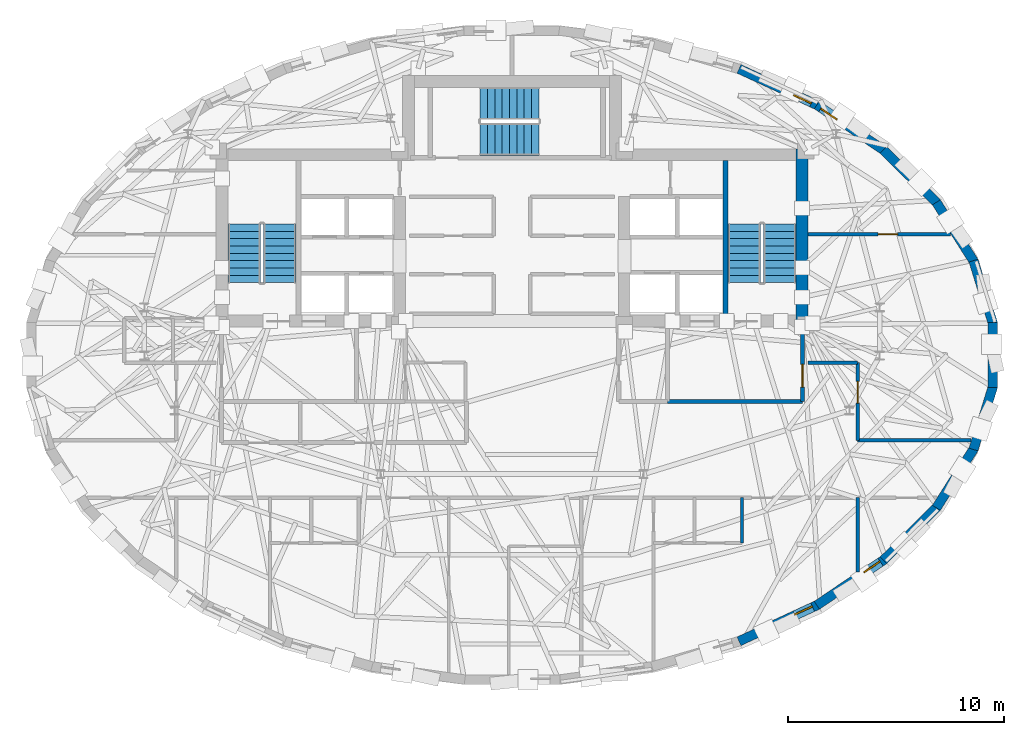
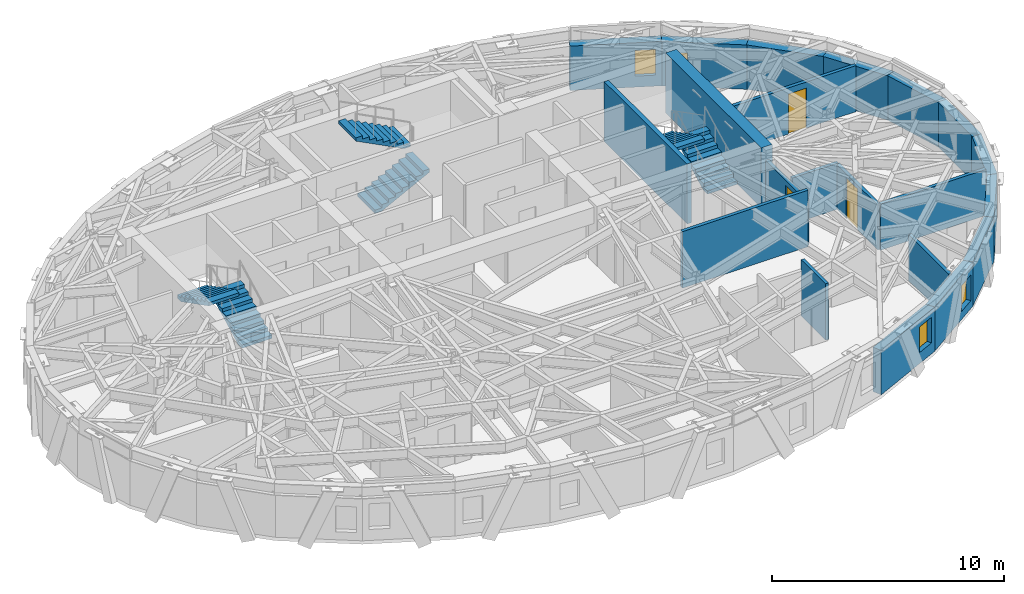
# One storey, part 9 of 12: 21 walls, 6 stair flights, 4 windows, 3 doors, 7 openings, 3 elements without a shape of their own.
"""IFC4 building model written with IfcOpenShell, lengths in metres."""

from ifc_helpers import new_model, si_unit, direction, frame, frame_2d, origin, place, context, subcontext, project, spatial, polyline, rectangle, outline, extrude, material, layer, layer_set, type_object, element, fill, aggregate, save


model = new_model("IFC4")

# Units and contexts
model_context = context("Model", 3, precision=1e-05, world=origin(), true_north=direction((0.0, 1.0)))
body_context = subcontext(model_context, "Body", "Model", "MODEL_VIEW")
ifc_project = project(units=[si_unit("LENGTHUNIT", "METRE"), si_unit("AREAUNIT", "SQUARE_METRE"), si_unit("VOLUMEUNIT", "CUBIC_METRE"), si_unit("PLANEANGLEUNIT", "RADIAN"), si_unit("MASSUNIT", "GRAM", prefix="KILO")], contexts=[model_context])

# Site, building, storey
site_placement = place(None, origin())
site = spatial("IfcSite", under=ifc_project, at=site_placement, CompositionType="ELEMENT")
building_placement = place(site_placement, origin())
building = spatial("IfcBuilding", under=site, at=building_placement, Name="Keldmark Tower", CompositionType="ELEMENT")
storey_placement = place(building_placement, frame((0.0, 0.0, 228.89990234375)))
storey = spatial("IfcBuildingStorey", under=building, at=storey_placement, Name="L64", CompositionType="ELEMENT", Elevation=228.89990234375)

# Walls
ifc_material_1 = material(Name="Concrete C50/60", Category="concrete")
ifc_layer_1 = layer(ifc_material_1, 0.550048828125)
ifc_layer_set_1 = layer_set([ifc_layer_1], Name="Concrete C50/60")
wall_type_1 = type_object("IfcWallType", Name="High-Rise Core Shear Wall 550 mm", PredefinedType="SHEAR", material=ifc_layer_set_1)
wall_1_placement = place(storey_placement, frame((13.425048828125, 1.300048828125, 0.0), z_axis=(0.0, 0.0, 1.0), x_axis=(0.0, 1.0, 0.0)))
element("IfcWall", 1, at=wall_1_placement, inside=storey, type_object=wall_type_1, Name="L64 East Core Outer Shear Wall", PredefinedType="SHEAR", context=body_context, shape_type="SweptSolid", body=[
    extrude(rectangle(XDim=8.25, YDim=0.550048828125, at=frame_2d((4.125, 0.0))), origin(), (0.0, 0.0, 1.0), 3.150146484375),
])
ifc_material_2 = material(Name="Type X Fire-Rated Gypsum Partition Assembly", Category="gypsum")
ifc_layer_2 = layer(ifc_material_2, 0.1650390625)
ifc_layer_set_2 = layer_set([ifc_layer_2], Name="Type X Fire-Rated Gypsum Partition Assembly")
wall_type_2 = type_object("IfcWallType", Name="Rated Partition 165 mm", PredefinedType="PARTITIONING", material=ifc_layer_set_2)
wall_2_placement = place(storey_placement, frame((7.199951171875, -2.14990234375, 0.0), z_axis=(0.0, 0.0, 1.0), x_axis=(1.0, 0.0, 0.0)))
element("IfcWall", 2, at=wall_2_placement, inside=storey, type_object=wall_type_2, Name="L64 Rated Partition 165 mm FSAE-E-S", PredefinedType="PARTITIONING", context=body_context, shape_type="SweptSolid", body=[
    extrude(rectangle(XDim=6.25, YDim=0.1650390625, at=frame_2d((3.125, 0.0))), origin(), (0.0, 0.0, 1.0), 2.97021484375),
])

# Wall, opening, door
wall_3_placement = place(storey_placement, frame((13.449951171875, -2.14990234375, 0.0), z_axis=(0.0, 0.0, 1.0), x_axis=(0.0, 1.0, 0.0)))
wall_3 = element("IfcWall", 3, at=wall_3_placement, inside=storey, type_object=wall_type_2, Name="L64 Rated Partition 165 mm FSAE-E-E", PredefinedType="PARTITIONING", context=body_context, shape_type="SweptSolid", body=[
    extrude(rectangle(XDim=3.5, YDim=0.1650390625, at=frame_2d((1.75, 0.0))), origin(), (0.0, 0.0, 1.0), 2.423095703125),
])
opening_1_placement = place(wall_3_placement, frame((0.669921875, 0.0, 0.0)))
opening_1 = element("IfcOpeningElement", 4, at=opening_1_placement, cuts=wall_3, Name="Opening D-FL105", PredefinedType="OPENING", context=body_context, shape_type="SweptSolid", body=[
    extrude(rectangle(XDim=1.050048828125, YDim=2.14990234375, at=frame_2d((0.52490234375, 1.074951171875))), frame((0.0, 0.092529296875, 0.0), z_axis=(0.0, -1.0, 0.0), x_axis=(1.0, 0.0, 0.0)), (0.0, 0.0, 1.0), 0.18505859375),
])
ifc_material_3 = material(Name="Fire-Rated Mineral-Core Door and Vision Lite", Category="metal")
door_type_1 = type_object("IfcDoorType", Name="Fire Lobby Door 1050x2150", OperationType="NOTDEFINED", PredefinedType="DOOR", material=ifc_material_3)
door_1_placement = place(opening_1_placement, origin())
door_1 = element("IfcDoor", 5, at=door_1_placement, inside=storey, type_object=door_type_1, Name="L64 Fire Lobby Door 1050x2150 D-FSAEE-OUT-L64", OperationType="SINGLE_SWING_RIGHT", OverallHeight=2.14990234375, OverallWidth=1.050048828125, PredefinedType="DOOR", context=body_context, shape_type="SweptSolid", body=[
    extrude(rectangle(XDim=1.050048828125, YDim=2.14990234375, at=frame_2d((0.52490234375, 1.074951171875))), frame((0.0, 0.02490234375, 0.0), z_axis=(0.0, -1.0, 0.0), x_axis=(1.0, 0.0, 0.0)), (0.0, 0.0, 1.0), 0.050048828125),
])
fill(opening_1, door_1)

# Wall
wall_4_placement = place(storey_placement, frame((16.0, -3.949951171875, 0.0), z_axis=(0.0, 0.0, 1.0), x_axis=(1.0, 0.0, 0.0)))
element("IfcWall", 6, at=wall_4_placement, inside=storey, type_object=wall_type_2, Name="L64 Rated Partition 165 mm RCOR-EN-OUT", PredefinedType="PARTITIONING", context=body_context, shape_type="SweptSolid", body=[
    extrude(rectangle(XDim=5.259521484375, YDim=0.1650390625, at=frame_2d((2.6298828125, 0.0))), origin(), (0.0, 0.0, 1.0), 2.423095703125),
])

# Wall, opening, door
wall_5_placement = place(storey_placement, frame((16.0, -3.949951171875, 0.0), z_axis=(0.0, 0.0, 1.0), x_axis=(0.0, 1.0, 0.0)))
wall_5 = element("IfcWall", 7, at=wall_5_placement, inside=storey, type_object=wall_type_2, Name="L64 Rated Partition 165 mm RCOR-VE", PredefinedType="PARTITIONING", context=body_context, shape_type="SweptSolid", body=[
    extrude(rectangle(XDim=3.599853515625, YDim=0.1650390625, at=frame_2d((1.7998046875, 0.0))), origin(), (0.0, 0.0, 1.0), 2.357177734375),
])
opening_2_placement = place(wall_5_placement, frame((1.72998046875, 0.0, 0.0)))
opening_2 = element("IfcOpeningElement", 8, at=opening_2_placement, cuts=wall_5, Name="Opening D-FD100", PredefinedType="OPENING", context=body_context, shape_type="SweptSolid", body=[
    extrude(rectangle(XDim=1.0, YDim=2.14990234375, at=frame_2d((0.5, 1.074951171875))), frame((0.0, 0.092529296875, 0.0), z_axis=(0.0, -1.0, 0.0), x_axis=(1.0, 0.0, 0.0)), (0.0, 0.0, 1.0), 0.18505859375),
])
ifc_material_4 = material(Name="Hollow Metal Fire-Rated Corridor Door", Category="metal")
door_type_2 = type_object("IfcDoorType", Name="Fire Door 1000x2150", OperationType="NOTDEFINED", PredefinedType="DOOR", material=ifc_material_4)
door_2_placement = place(opening_2_placement, origin())
door_2 = element("IfcDoor", 9, at=door_2_placement, inside=storey, type_object=door_type_2, Name="L64 Fire Door 1000x2150 D-REM1-L64", OperationType="SINGLE_SWING_RIGHT", OverallHeight=2.14990234375, OverallWidth=1.0, PredefinedType="DOOR", context=body_context, shape_type="SweptSolid", body=[
    extrude(rectangle(XDim=1.0, YDim=2.14990234375, at=frame_2d((0.5, 1.074951171875))), frame((0.0, 0.02490234375, 0.0), z_axis=(0.0, -1.0, 0.0), x_axis=(1.0, 0.0, 0.0)), (0.0, 0.0, 1.0), 0.050048828125),
])
fill(opening_2, door_2)

# Wall
wall_6_placement = place(storey_placement, frame((13.699951171875, -0.35009765625, 0.0), z_axis=(0.0, 0.0, 1.0), x_axis=(1.0, 0.0, 0.0)))
element("IfcWall", 10, at=wall_6_placement, inside=storey, type_object=wall_type_2, Name="L64 Rated Partition 165 mm RCOR-VEN", PredefinedType="PARTITIONING", context=body_context, shape_type="SweptSolid", body=[
    extrude(rectangle(XDim=2.300048828125, YDim=0.1650390625, at=frame_2d((1.14990234375, 0.0))), origin(), (0.0, 0.0, 1.0), 2.423095703125),
])

# Wall, opening, door
wall_7_placement = place(storey_placement, frame((13.699951171875, 5.60009765625, 0.0), z_axis=(0.0, 0.0, 1.0), x_axis=(1.0, 0.0, 0.0)))
wall_7 = element("IfcWall", 11, at=wall_7_placement, inside=storey, type_object=wall_type_2, Name="L64 Rated Partition 165 mm RE-NDIV", PredefinedType="PARTITIONING", context=body_context, shape_type="SweptSolid", body=[
    extrude(rectangle(XDim=6.6123046875, YDim=0.1650390625, at=frame_2d((3.30615234375, 0.0))), origin(), (0.0, 0.0, 1.0), 2.423095703125),
])
opening_3_placement = place(wall_7_placement, frame((3.25, 0.0, 0.0)))
opening_3 = element("IfcOpeningElement", 12, at=opening_3_placement, cuts=wall_7, Name="Opening D-IN090", PredefinedType="OPENING", context=body_context, shape_type="SweptSolid", body=[
    extrude(rectangle(XDim=0.89990234375, YDim=2.10009765625, at=frame_2d((0.449951171875, 1.050048828125))), frame((0.0, 0.092529296875, 0.0), z_axis=(0.0, -1.0, 0.0), x_axis=(1.0, 0.0, 0.0)), (0.0, 0.0, 1.0), 0.18505859375),
])
ifc_material_5 = material(Name="Stained American White Oak Veneer", Category="wood")
door_type_3 = type_object("IfcDoorType", Name="Interior Door 900x2100", OperationType="NOTDEFINED", PredefinedType="DOOR", material=ifc_material_5)
door_3_placement = place(opening_3_placement, origin())
door_3 = element("IfcDoor", 13, at=door_3_placement, inside=storey, type_object=door_type_3, Name="L64 Interior Door 900x2100 D-REN1-L64", OperationType="SINGLE_SWING_LEFT", OverallHeight=2.10009765625, OverallWidth=0.89990234375, PredefinedType="DOOR", context=body_context, shape_type="SweptSolid", body=[
    extrude(rectangle(XDim=0.89990234375, YDim=2.10009765625, at=frame_2d((0.449951171875, 1.050048828125))), frame((0.0, 0.02490234375, 0.0), z_axis=(0.0, -1.0, 0.0), x_axis=(1.0, 0.0, 0.0)), (0.0, 0.0, 1.0), 0.050048828125),
])
fill(opening_3, door_3)

# Walls
wall_8_placement = place(storey_placement, frame((16.0, -10.032470703125, 0.0), z_axis=(0.0, 0.0, 1.0), x_axis=(0.0, 1.0, 0.0)))
element("IfcWall", 14, at=wall_8_placement, inside=storey, type_object=wall_type_2, Name="L64 Rated Partition 165 mm RS-ECAP", PredefinedType="PARTITIONING", context=body_context, shape_type="SweptSolid", body=[
    extrude(rectangle(XDim=3.432373046875, YDim=0.1650390625, at=frame_2d((1.71630859375, 0.0))), origin(), (0.0, 0.0, 1.0), 2.423095703125),
])
ifc_material_6 = material(Name="Concrete C50/60", Category="concrete")
ifc_layer_3 = layer(ifc_material_6, 0.219970703125)
ifc_layer_set_3 = layer_set([ifc_layer_3], Name="Concrete C50/60")
wall_type_3 = type_object("IfcWallType", Name="Stair Core Shear Wall 220 mm", PredefinedType="SHEAR", material=ifc_layer_set_3)
wall_9_placement = place(storey_placement, frame((9.889892578125, 1.85009765625, 0.0), z_axis=(0.0, 0.0, 1.0), x_axis=(0.0, 1.0, 0.0)))
element("IfcWall", 15, at=wall_9_placement, inside=storey, type_object=wall_type_3, Name="L64 East Stair Core Shear Wall", PredefinedType="SHEAR", context=body_context, shape_type="SweptSolid", body=[
    extrude(rectangle(XDim=7.14990234375, YDim=0.219970703125, at=frame_2d((3.574951171875, 0.0))), origin(), (0.0, 0.0, 1.0), 3.150146484375),
])
ifc_material_7 = material(Name="Ironspot Manganese Brick and Kasota Buff Limestone Spandrel Assembly", Category="masonry")
ifc_layer_4 = layer(ifc_material_7, 0.43994140625)
ifc_layer_set_4 = layer_set([ifc_layer_4], Name="Ironspot Manganese Brick and Kasota Buff Limestone Spandrel Assembly")
wall_type_4 = type_object("IfcWallType", Name="Tower Brick Pier and Spandrel Wall 440 mm", PredefinedType="STANDARD", material=ifc_layer_set_4)
wall_10_placement = place(storey_placement, frame((21.3671875, 4.373779296875, 0.0), z_axis=(0.0, 0.0, 1.0), x_axis=(0.295012279945, -0.95549346135, 0.0)))
element("IfcWall", 16, at=wall_10_placement, inside=storey, type_object=wall_type_4, Name="L64 Exterior Brick and Spandrel Wall 01", PredefinedType="STANDARD", context=body_context, shape_type="SweptSolid", body=[
    extrude(rectangle(XDim=3.073486328125, YDim=0.43994140625, at=frame_2d((1.53662109375, 0.0))), origin(), (0.0, 0.0, 1.0), 2.336181640625),
])
wall_11_placement = place(storey_placement, frame((19.64990234375, 7.072509765625, 0.0), z_axis=(0.0, 0.0, 1.0), x_axis=(0.53485586517, -0.844943313775, 0.0)))
element("IfcWall", 17, at=wall_11_placement, inside=storey, type_object=wall_type_4, Name="L64 Exterior Brick and Spandrel Wall 02", PredefinedType="STANDARD", context=body_context, shape_type="SweptSolid", body=[
    extrude(rectangle(XDim=3.25634765625, YDim=0.43994140625, at=frame_2d((1.628173828125, 0.0))), origin(), (0.0, 0.0, 1.0), 2.336181640625),
])
wall_12_placement = place(storey_placement, frame((17.19677734375, 9.5009765625, 0.0), z_axis=(0.0, 0.0, 1.0), x_axis=(0.709543258305, -0.704661879623, 0.0)))
element("IfcWall", 18, at=wall_12_placement, inside=storey, type_object=wall_type_4, Name="L64 Exterior Brick and Spandrel Wall 03", PredefinedType="STANDARD", context=body_context, shape_type="SweptSolid", body=[
    extrude(rectangle(XDim=3.5009765625, YDim=0.43994140625, at=frame_2d((1.75048828125, 0.0))), origin(), (0.0, 0.0, 1.0), 2.336181640625),
])

# Wall, opening, window
wall_13_placement = place(storey_placement, frame((14.11669921875, 11.5849609375, 0.0), z_axis=(0.0, 0.0, 1.0), x_axis=(0.827638454008, -0.561261605178, 0.0)))
wall_13 = element("IfcWall", 19, at=wall_13_placement, inside=storey, type_object=wall_type_4, Name="L64 Exterior Brick and Spandrel Wall 04", PredefinedType="STANDARD", context=body_context, shape_type="SweptSolid", body=[
    extrude(rectangle(XDim=3.759521484375, YDim=0.43994140625, at=frame_2d((1.8798828125, 0.0))), origin(), (0.0, 0.0, 1.0), 2.336181640625),
])
opening_4_placement = place(wall_13_placement, frame((0.249267578125, 0.0, 0.419921875)))
opening_4 = element("IfcOpeningElement", 20, at=opening_4_placement, cuts=wall_13, Name="Opening W-09", PredefinedType="OPENING", context=body_context, shape_type="SweptSolid", body=[
    extrude(rectangle(XDim=0.89990234375, YDim=1.35009765625, at=frame_2d((0.449951171875, 0.675048828125))), frame((0.0, 0.22998046875, 0.0), z_axis=(0.0, -1.0, 0.0), x_axis=(1.0, 0.0, 0.0)), (0.0, 0.0, 1.0), 0.4599609375),
])
ifc_material_8 = material(Name="Thermally Broken Anodized Aluminum and Triple Low-E Argon Glazing", Category="aluminium")
window_type = type_object("IfcWindowType", Name="Corner Pier Deep-Set Window 900x1350", PartitioningType="SINGLE_PANEL", PredefinedType="WINDOW", material=ifc_material_8)
window_1_placement = place(opening_4_placement, origin())
window_1 = element("IfcWindow", 21, at=window_1_placement, inside=storey, type_object=window_type, Name="L64 Deep-Set Window 04", OverallHeight=1.35009765625, OverallWidth=0.89990234375, PartitioningType="SINGLE_PANEL", PredefinedType="WINDOW", context=body_context, shape_type="SweptSolid", body=[
    extrude(rectangle(XDim=0.89990234375, YDim=1.35009765625, at=frame_2d((0.449951171875, 0.675048828125))), frame((0.0, -0.010009765625, 0.0), z_axis=(0.0, -1.0, 0.0), x_axis=(1.0, 0.0, 0.0)), (0.0, 0.0, 1.0), 0.06005859375),
])
fill(opening_4, window_1)

wall_14_placement = place(storey_placement, frame((10.510009765625, 13.252197265625, 0.0), z_axis=(0.0, 0.0, 1.0), x_axis=(0.907400682183, -0.420266584412, 0.0)))
wall_14 = element("IfcWall", 22, at=wall_14_placement, inside=storey, type_object=wall_type_4, Name="L64 Exterior Brick and Spandrel Wall 05", PredefinedType="STANDARD", context=body_context, shape_type="SweptSolid", body=[
    extrude(rectangle(XDim=4.009033203125, YDim=0.43994140625, at=frame_2d((2.00439453125, 0.0))), origin(), (0.0, 0.0, 1.0), 2.336181640625),
])
opening_5_placement = place(wall_14_placement, frame((2.810302734375, 0.0, 0.580078125)))
opening_5 = element("IfcOpeningElement", 23, at=opening_5_placement, cuts=wall_14, Name="Opening W-09", PredefinedType="OPENING", context=body_context, shape_type="SweptSolid", body=[
    extrude(rectangle(XDim=0.89990234375, YDim=1.35009765625, at=frame_2d((0.449951171875, 0.675048828125))), frame((0.0, 0.22998046875, 0.0), z_axis=(0.0, -1.0, 0.0), x_axis=(1.0, 0.0, 0.0)), (0.0, 0.0, 1.0), 0.4599609375),
])
window_2_placement = place(opening_5_placement, origin())
window_2 = element("IfcWindow", 24, at=window_2_placement, inside=storey, type_object=window_type, Name="L64 Deep-Set Window 05", OverallHeight=1.35009765625, OverallWidth=0.89990234375, PartitioningType="SINGLE_PANEL", PredefinedType="WINDOW", context=body_context, shape_type="SweptSolid", body=[
    extrude(rectangle(XDim=0.89990234375, YDim=1.35009765625, at=frame_2d((0.449951171875, 0.675048828125))), frame((0.0, -0.010009765625, 0.0), z_axis=(0.0, -1.0, 0.0), x_axis=(1.0, 0.0, 0.0)), (0.0, 0.0, 1.0), 0.06005859375),
])
fill(opening_5, window_2)

wall_15_placement = place(storey_placement, frame((14.147705078125, -11.5673828125, 0.0), z_axis=(0.0, 0.0, 1.0), x_axis=(-0.907400682183, -0.420266584412, 0.0)))
wall_15 = element("IfcWall", 25, at=wall_15_placement, inside=storey, type_object=wall_type_4, Name="L64 Exterior Brick and Spandrel Wall 27", PredefinedType="STANDARD", context=body_context, shape_type="SweptSolid", body=[
    extrude(rectangle(XDim=4.009033203125, YDim=0.43994140625, at=frame_2d((2.00439453125, 0.0))), origin(), (0.0, 0.0, 1.0), 2.336181640625),
])
opening_6_placement = place(wall_15_placement, frame((0.249267578125, 0.0, 0.580078125)))
opening_6 = element("IfcOpeningElement", 26, at=opening_6_placement, cuts=wall_15, Name="Opening W-09", PredefinedType="OPENING", context=body_context, shape_type="SweptSolid", body=[
    extrude(rectangle(XDim=0.89990234375, YDim=1.35009765625, at=frame_2d((0.449951171875, 0.675048828125))), frame((0.0, 0.22998046875, 0.0), z_axis=(0.0, -1.0, 0.0), x_axis=(1.0, 0.0, 0.0)), (0.0, 0.0, 1.0), 0.4599609375),
])
window_3_placement = place(opening_6_placement, origin())
window_3 = element("IfcWindow", 27, at=window_3_placement, inside=storey, type_object=window_type, Name="L64 Deep-Set Window 27", OverallHeight=1.35009765625, OverallWidth=0.89990234375, PartitioningType="SINGLE_PANEL", PredefinedType="WINDOW", context=body_context, shape_type="SweptSolid", body=[
    extrude(rectangle(XDim=0.89990234375, YDim=1.35009765625, at=frame_2d((0.449951171875, 0.675048828125))), frame((0.0, -0.010009765625, 0.0), z_axis=(0.0, -1.0, 0.0), x_axis=(1.0, 0.0, 0.0)), (0.0, 0.0, 1.0), 0.06005859375),
])
fill(opening_6, window_3)

wall_16_placement = place(storey_placement, frame((17.228271484375, -9.474853515625, 0.0), z_axis=(0.0, 0.0, 1.0), x_axis=(-0.827638454008, -0.561261605178, 0.0)))
wall_16 = element("IfcWall", 28, at=wall_16_placement, inside=storey, type_object=wall_type_4, Name="L64 Exterior Brick and Spandrel Wall 28", PredefinedType="STANDARD", context=body_context, shape_type="SweptSolid", body=[
    extrude(rectangle(XDim=3.759521484375, YDim=0.43994140625, at=frame_2d((1.8798828125, 0.0))), origin(), (0.0, 0.0, 1.0), 2.336181640625),
])
opening_7_placement = place(wall_16_placement, frame((0.199951171875, 0.0, 0.419921875)))
opening_7 = element("IfcOpeningElement", 29, at=opening_7_placement, cuts=wall_16, Name="Opening W-09", PredefinedType="OPENING", context=body_context, shape_type="SweptSolid", body=[
    extrude(rectangle(XDim=0.89990234375, YDim=1.35009765625, at=frame_2d((0.449951171875, 0.675048828125))), frame((0.0, 0.22998046875, 0.0), z_axis=(0.0, -1.0, 0.0), x_axis=(1.0, 0.0, 0.0)), (0.0, 0.0, 1.0), 0.4599609375),
])
window_4_placement = place(opening_7_placement, origin())
window_4 = element("IfcWindow", 30, at=window_4_placement, inside=storey, type_object=window_type, Name="L64 Deep-Set Window 28", OverallHeight=1.35009765625, OverallWidth=0.89990234375, PartitioningType="SINGLE_PANEL", PredefinedType="WINDOW", context=body_context, shape_type="SweptSolid", body=[
    extrude(rectangle(XDim=0.89990234375, YDim=1.35009765625, at=frame_2d((0.449951171875, 0.675048828125))), frame((0.0, -0.010009765625, 0.0), z_axis=(0.0, -1.0, 0.0), x_axis=(1.0, 0.0, 0.0)), (0.0, 0.0, 1.0), 0.06005859375),
])
fill(opening_7, window_4)

# Walls
wall_17_placement = place(storey_placement, frame((19.680908203125, -7.033935546875, 0.0), z_axis=(0.0, 0.0, 1.0), x_axis=(-0.709543258305, -0.704661879623, 0.0)))
element("IfcWall", 31, at=wall_17_placement, inside=storey, type_object=wall_type_4, Name="L64 Exterior Brick and Spandrel Wall 29", PredefinedType="STANDARD", context=body_context, shape_type="SweptSolid", body=[
    extrude(rectangle(XDim=3.5009765625, YDim=0.43994140625, at=frame_2d((1.75048828125, 0.0))), origin(), (0.0, 0.0, 1.0), 2.336181640625),
])
wall_18_placement = place(storey_placement, frame((21.3916015625, -4.321044921875, 0.0), z_axis=(0.0, 0.0, 1.0), x_axis=(-0.53485586517, -0.844943313775, 0.0)))
element("IfcWall", 32, at=wall_18_placement, inside=storey, type_object=wall_type_4, Name="L64 Exterior Brick and Spandrel Wall 30", PredefinedType="STANDARD", context=body_context, shape_type="SweptSolid", body=[
    extrude(rectangle(XDim=3.25634765625, YDim=0.43994140625, at=frame_2d((1.628173828125, 0.0))), origin(), (0.0, 0.0, 1.0), 2.336181640625),
])
wall_19_placement = place(storey_placement, frame((22.27392578125, -1.43701171875, 0.0), z_axis=(0.0, 0.0, 1.0), x_axis=(-0.295012279945, -0.95549346135, 0.0)))
element("IfcWall", 33, at=wall_19_placement, inside=storey, type_object=wall_type_4, Name="L64 Exterior Brick and Spandrel Wall 31", PredefinedType="STANDARD", context=body_context, shape_type="SweptSolid", body=[
    extrude(rectangle(XDim=3.073486328125, YDim=0.43994140625, at=frame_2d((1.53662109375, 0.0))), origin(), (0.0, 0.0, 1.0), 2.336181640625),
])
wall_20_placement = place(storey_placement, frame((22.26416015625, 1.501708984375, 0.0), z_axis=(0.0, 0.0, 1.0), x_axis=(0.0, -1.0, 0.0)))
element("IfcWall", 34, at=wall_20_placement, inside=storey, type_object=wall_type_4, Name="L64 Exterior Brick and Spandrel Wall 32", PredefinedType="STANDARD", context=body_context, shape_type="SweptSolid", body=[
    extrude(rectangle(XDim=3.00341796875, YDim=0.43994140625, at=frame_2d((1.501708984375, 0.0))), origin(), (0.0, 0.0, 1.0), 2.336181640625),
])
ifc_material_9 = material(Name="Moisture-Resistant Gypsum Plumbing Partition", Category="gypsum")
ifc_layer_5 = layer(ifc_material_9, 0.14990234375)
ifc_layer_set_5 = layer_set([ifc_layer_5], Name="Moisture-Resistant Gypsum Plumbing Partition")
wall_type_5 = type_object("IfcWallType", Name="Wet Wall 150 mm", PredefinedType="PLUMBINGWALL", material=ifc_layer_set_5)
wall_21_placement = place(storey_placement, frame((10.64990234375, -8.699951171875, 0.0), z_axis=(0.0, 0.0, 1.0), x_axis=(0.0, 1.0, 0.0)))
element("IfcWall", 35, at=wall_21_placement, inside=storey, type_object=wall_type_5, Name="L64 Wet Wall 150 mm UB-BK-E", PredefinedType="PLUMBINGWALL", context=body_context, shape_type="SweptSolid", body=[
    extrude(rectangle(XDim=2.099853515625, YDim=0.14990234375, at=frame_2d((1.0498046875, 0.0))), origin(), (0.0, 0.0, 1.0), 2.97021484375),
])

# Stair, stair flights
ifc_material_10 = material(Name="Concrete C40/50", Category="concrete")
stair_type = type_object("IfcStairType", Name="Precast Concrete Core Exit Stair", PredefinedType="HALF_TURN_STAIR", material=ifc_material_10)
stair_1_placement = place(storey_placement, origin())
stair_1 = element("IfcStair", 36, at=stair_1_placement, inside=storey, type_object=stair_type, Name="L64 Exit Stair ST1", PredefinedType="HALF_TURN_STAIR")
ifc_material_11 = material(Name="Concrete C40/50", Category="concrete")
stair_flight_type = type_object("IfcStairFlightType", Name="Precast Concrete Stair Flight 1500 mm", PredefinedType="STRAIGHT", material=ifc_material_11)
stair_flight_1_placement = place(storey_placement, frame((-10.75, 3.35009765625, 0.0), z_axis=(0.0, 0.0, 1.0), x_axis=(0.0, 1.0, 0.0)))
stair_flight_1 = element("IfcStairFlight", 37, at=stair_flight_1_placement, type_object=stair_flight_type, Name="ST1 flight 1", NumberOfRisers=9, NumberOfTreads=8, PredefinedType="STRAIGHT", RiserHeight=0.175, TreadLength=0.34, context=body_context, shape_type="SweptSolid", body=[
    extrude(outline(polyline([(0.0, 0.0), (0.0, 0.175048828125), (0.340087890625, 0.175048828125), (0.340087890625, 0.35009765625), (0.679931640625, 0.35009765625), (0.679931640625, 0.52490234375), (1.02001953125, 0.52490234375), (1.02001953125, 0.699951171875), (1.360107421875, 0.699951171875), (1.360107421875, 0.875), (1.699951171875, 0.875), (1.699951171875, 1.050048828125), (2.0400390625, 1.050048828125), (2.0400390625, 1.22509765625), (2.3798828125, 1.22509765625), (2.3798828125, 1.39990234375), (2.719970703125, 1.39990234375), (2.719970703125, 1.574951171875), (2.719970703125, 1.2314453125), (0.32763671875, 0.0), (0.0, 0.0)])), frame((0.0, 0.75, 0.0), z_axis=(0.0, -1.0, 0.0), x_axis=(1.0, 0.0, 0.0)), (0.0, 0.0, 1.0), 1.5),
])
stair_flight_2_placement = place(storey_placement, frame((-12.39990234375, 6.070068359375, 1.5751953125), z_axis=(0.0, 0.0, 1.0), x_axis=(0.0, -1.0, 0.0)))
stair_flight_2 = element("IfcStairFlight", 38, at=stair_flight_2_placement, type_object=stair_flight_type, Name="ST1 flight 2", NumberOfRisers=9, NumberOfTreads=8, PredefinedType="STRAIGHT", RiserHeight=0.175, TreadLength=0.34, context=body_context, shape_type="SweptSolid", body=[
    extrude(outline(polyline([(0.0, 0.0), (0.0, 0.175048828125), (0.340087890625, 0.175048828125), (0.340087890625, 0.35009765625), (0.679931640625, 0.35009765625), (0.679931640625, 0.52490234375), (1.02001953125, 0.52490234375), (1.02001953125, 0.699951171875), (1.360107421875, 0.699951171875), (1.360107421875, 0.875), (1.699951171875, 0.875), (1.699951171875, 1.050048828125), (2.0400390625, 1.050048828125), (2.0400390625, 1.22509765625), (2.3798828125, 1.22509765625), (2.3798828125, 1.39990234375), (2.719970703125, 1.39990234375), (2.719970703125, 1.574951171875), (2.719970703125, 1.2314453125), (0.32763671875, 0.0), (0.0, 0.0)])), frame((0.0, 0.75, 0.0), z_axis=(0.0, -1.0, 0.0), x_axis=(1.0, 0.0, 0.0)), (0.0, 0.0, 1.0), 1.5),
])
aggregate(stair_1, [stair_flight_1, stair_flight_2])

stair_2_placement = place(storey_placement, origin())
stair_2 = element("IfcStair", 39, at=stair_2_placement, inside=storey, type_object=stair_type, Name="L64 Exit Stair ST2", PredefinedType="HALF_TURN_STAIR")
stair_flight_3_placement = place(storey_placement, frame((12.39990234375, 3.35009765625, 0.0), z_axis=(0.0, 0.0, 1.0), x_axis=(0.0, 1.0, 0.0)))
stair_flight_3 = element("IfcStairFlight", 40, at=stair_flight_3_placement, type_object=stair_flight_type, Name="ST2 flight 1", NumberOfRisers=9, NumberOfTreads=8, PredefinedType="STRAIGHT", RiserHeight=0.175, TreadLength=0.34, context=body_context, shape_type="SweptSolid", body=[
    extrude(outline(polyline([(0.0, 0.0), (0.0, 0.175048828125), (0.340087890625, 0.175048828125), (0.340087890625, 0.35009765625), (0.679931640625, 0.35009765625), (0.679931640625, 0.52490234375), (1.02001953125, 0.52490234375), (1.02001953125, 0.699951171875), (1.360107421875, 0.699951171875), (1.360107421875, 0.875), (1.699951171875, 0.875), (1.699951171875, 1.050048828125), (2.0400390625, 1.050048828125), (2.0400390625, 1.22509765625), (2.3798828125, 1.22509765625), (2.3798828125, 1.39990234375), (2.719970703125, 1.39990234375), (2.719970703125, 1.574951171875), (2.719970703125, 1.2314453125), (0.32763671875, 0.0), (0.0, 0.0)])), frame((0.0, 0.75, 0.0), z_axis=(0.0, -1.0, 0.0), x_axis=(1.0, 0.0, 0.0)), (0.0, 0.0, 1.0), 1.5),
])
stair_flight_4_placement = place(storey_placement, frame((10.75, 6.070068359375, 1.5751953125), z_axis=(0.0, 0.0, 1.0), x_axis=(0.0, -1.0, 0.0)))
stair_flight_4 = element("IfcStairFlight", 41, at=stair_flight_4_placement, type_object=stair_flight_type, Name="ST2 flight 2", NumberOfRisers=9, NumberOfTreads=8, PredefinedType="STRAIGHT", RiserHeight=0.175, TreadLength=0.34, context=body_context, shape_type="SweptSolid", body=[
    extrude(outline(polyline([(0.0, 0.0), (0.0, 0.175048828125), (0.340087890625, 0.175048828125), (0.340087890625, 0.35009765625), (0.679931640625, 0.35009765625), (0.679931640625, 0.52490234375), (1.02001953125, 0.52490234375), (1.02001953125, 0.699951171875), (1.360107421875, 0.699951171875), (1.360107421875, 0.875), (1.699951171875, 0.875), (1.699951171875, 1.050048828125), (2.0400390625, 1.050048828125), (2.0400390625, 1.22509765625), (2.3798828125, 1.22509765625), (2.3798828125, 1.39990234375), (2.719970703125, 1.39990234375), (2.719970703125, 1.574951171875), (2.719970703125, 1.2314453125), (0.32763671875, 0.0), (0.0, 0.0)])), frame((0.0, 0.75, 0.0), z_axis=(0.0, -1.0, 0.0), x_axis=(1.0, 0.0, 0.0)), (0.0, 0.0, 1.0), 1.5),
])
aggregate(stair_2, [stair_flight_3, stair_flight_4])

stair_3_placement = place(storey_placement, origin())
stair_3 = element("IfcStair", 42, at=stair_3_placement, inside=storey, type_object=stair_type, Name="L64 Exit Stair ST3", PredefinedType="HALF_TURN_STAIR")
stair_flight_5_placement = place(storey_placement, frame((-1.47509765625, 10.0, 0.0), z_axis=(0.0, 0.0, 1.0), x_axis=(1.0, 0.0, 0.0)))
stair_flight_5 = element("IfcStairFlight", 43, at=stair_flight_5_placement, type_object=stair_flight_type, Name="ST3 flight 1", NumberOfRisers=9, NumberOfTreads=8, PredefinedType="STRAIGHT", RiserHeight=0.175, TreadLength=0.34, context=body_context, shape_type="SweptSolid", body=[
    extrude(outline(polyline([(0.0, 0.0), (0.0, 0.175048828125), (0.340087890625, 0.175048828125), (0.340087890625, 0.35009765625), (0.679931640625, 0.35009765625), (0.679931640625, 0.52490234375), (1.02001953125, 0.52490234375), (1.02001953125, 0.699951171875), (1.360107421875, 0.699951171875), (1.360107421875, 0.875), (1.699951171875, 0.875), (1.699951171875, 1.050048828125), (2.0400390625, 1.050048828125), (2.0400390625, 1.22509765625), (2.3798828125, 1.22509765625), (2.3798828125, 1.39990234375), (2.719970703125, 1.39990234375), (2.719970703125, 1.574951171875), (2.719970703125, 1.2314453125), (0.32763671875, 0.0), (0.0, 0.0)])), frame((0.0, 0.75, 0.0), z_axis=(0.0, -1.0, 0.0), x_axis=(1.0, 0.0, 0.0)), (0.0, 0.0, 1.0), 1.5),
])
stair_flight_6_placement = place(storey_placement, frame((1.2451171875, 11.64990234375, 1.5751953125), z_axis=(0.0, 0.0, 1.0), x_axis=(-1.0, 0.0, 0.0)))
stair_flight_6 = element("IfcStairFlight", 44, at=stair_flight_6_placement, type_object=stair_flight_type, Name="ST3 flight 2", NumberOfRisers=9, NumberOfTreads=8, PredefinedType="STRAIGHT", RiserHeight=0.175, TreadLength=0.34, context=body_context, shape_type="SweptSolid", body=[
    extrude(outline(polyline([(0.0, 0.0), (0.0, 0.175048828125), (0.340087890625, 0.175048828125), (0.340087890625, 0.35009765625), (0.679931640625, 0.35009765625), (0.679931640625, 0.52490234375), (1.02001953125, 0.52490234375), (1.02001953125, 0.699951171875), (1.360107421875, 0.699951171875), (1.360107421875, 0.875), (1.699951171875, 0.875), (1.699951171875, 1.050048828125), (2.0400390625, 1.050048828125), (2.0400390625, 1.22509765625), (2.3798828125, 1.22509765625), (2.3798828125, 1.39990234375), (2.719970703125, 1.39990234375), (2.719970703125, 1.574951171875), (2.719970703125, 1.2314453125), (0.32763671875, 0.0), (0.0, 0.0)])), frame((0.0, 0.75, 0.0), z_axis=(0.0, -1.0, 0.0), x_axis=(1.0, 0.0, 0.0)), (0.0, 0.0, 1.0), 1.5),
])
aggregate(stair_3, [stair_flight_5, stair_flight_6])

save(model, "model.ifc")
